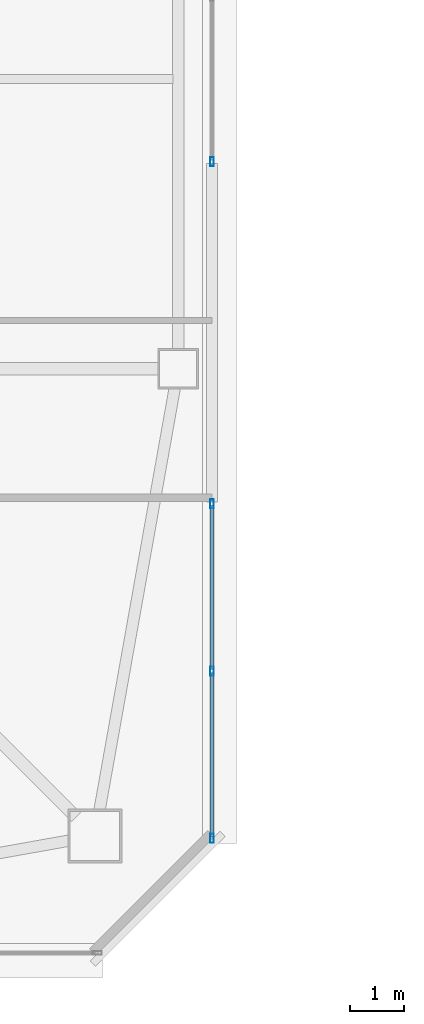
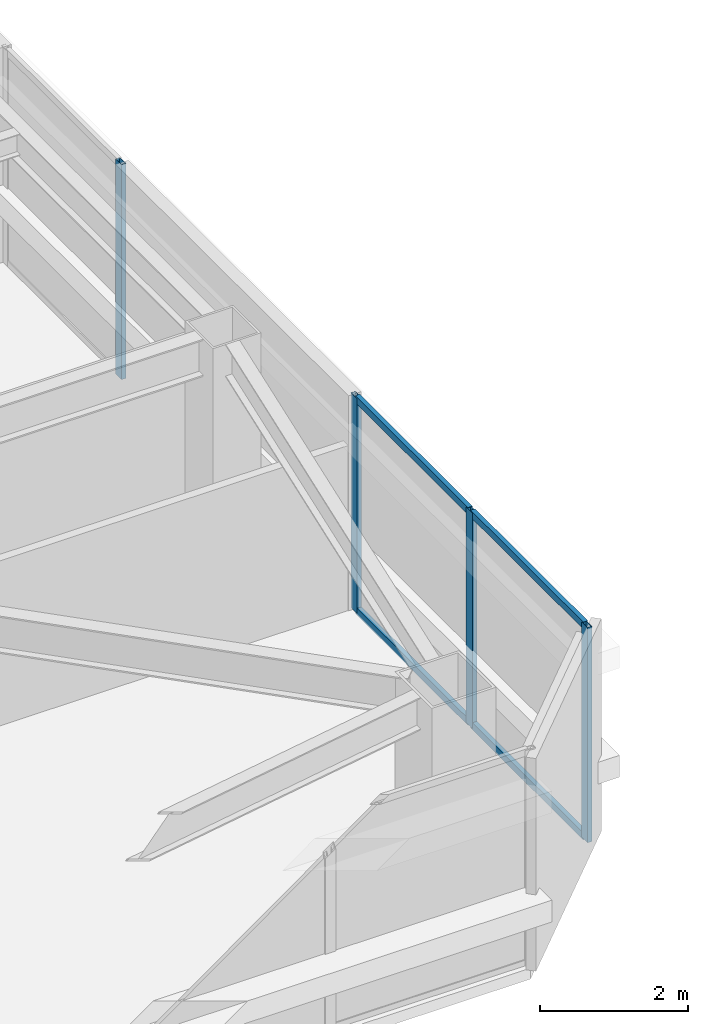
# One storey, part 12 of 44: 8 members, 2 elements without a shape of their own.
"""IFC4 building model written with IfcOpenShell, lengths in metres."""

from ifc_helpers import new_model, si_unit, direction, frame, origin, origin_2d, place, context, subcontext, project, spatial, hollow_rectangle, extrude, material, material_profile, profile_set, type_object, element, aggregate, save


model = new_model("IFC4")

# Units and contexts
model_context = context("Model", 3, precision=1e-05, world=origin(), true_north=direction((0.0, 1.0)))
body_context = subcontext(model_context, "Body", "Model", "MODEL_VIEW")
ifc_project = project(units=[si_unit("LENGTHUNIT", "METRE"), si_unit("AREAUNIT", "SQUARE_METRE"), si_unit("VOLUMEUNIT", "CUBIC_METRE"), si_unit("PLANEANGLEUNIT", "RADIAN"), si_unit("MASSUNIT", "GRAM", prefix="KILO")], contexts=[model_context])

# Site, building, storey
site_placement = place(None, origin())
site = spatial("IfcSite", under=ifc_project, at=site_placement, CompositionType="ELEMENT")
building_placement = place(site_placement, origin())
building = spatial("IfcBuilding", under=site, at=building_placement, Name="Tashvorn Skyway Center", CompositionType="ELEMENT")
storey_placement = place(building_placement, frame((0.0, 0.0, 211.300048828125)))
storey = spatial("IfcBuildingStorey", under=building, at=storey_placement, Name="L57", CompositionType="ELEMENT", Elevation=211.300048828125)

# Curtain wall, member
ifc_material = material(Name="Thermally broken bronze-anodized aluminium 6063-T6", Category="aluminium")
curtain_wall_type = type_object("IfcCurtainWallType", Name="CW-CW-Z5", PredefinedType="NOTDEFINED", material=ifc_material)
curtain_wall_1_placement = place(storey_placement, origin())
curtain_wall_1 = element("IfcCurtainWall", 1, at=curtain_wall_1_placement, inside=storey, type_object=curtain_wall_type, Name="Tower 1 L57 East Unitised Curtain Wall Glazing Group 2", PredefinedType="NOTDEFINED")
ifc_material_profile_1 = material_profile(ifc_material, hollow_rectangle(XDim=0.070068359375, YDim=0.1650390625, WallThickness=0.00390625, at=origin_2d()), Name="ALU-MULL-70x165")
ifc_profile_set_1 = profile_set([ifc_material_profile_1], Name="Thermally broken bronze-anodized aluminium 6063-T6")
member_type_1 = type_object("IfcMemberType", Name="CWM-CW-Z5", PredefinedType="MULLION", material=ifc_profile_set_1)
member_1_placement = place(storey_placement, frame((58.280029296875, 30.45947265625, 0.0), z_axis=(0.0, 0.0, 1.0), x_axis=(1.0, 0.0, 0.0)))
member_1 = element("IfcMember", 2, at=member_1_placement, type_object=member_type_1, Name="CW-Z5 mullion 2", PredefinedType="MULLION", context=body_context, shape_type="SweptSolid", body=[
    extrude(hollow_rectangle(XDim=0.070068359375, YDim=0.1650390625, WallThickness=0.00390625, at=origin_2d()), origin(), (0.0, 0.0, 1.0), 3.550048828125),
])
aggregate(curtain_wall_1, [member_1])

# Curtain wall, members
curtain_wall_2_placement = place(storey_placement, origin())
curtain_wall_2 = element("IfcCurtainWall", 3, at=curtain_wall_2_placement, inside=storey, type_object=curtain_wall_type, Name="Tower 1 L57 East Unitised Curtain Wall Glazing Group 3", PredefinedType="NOTDEFINED")
member_2_placement = place(storey_placement, frame((58.280029296875, 24.087158203125, 0.0), z_axis=(0.0, 0.0, 1.0), x_axis=(1.0, 0.0, 0.0)))
member_2 = element("IfcMember", 4, at=member_2_placement, type_object=member_type_1, Name="CW-Z5 mullion 1", PredefinedType="MULLION", context=body_context, shape_type="SweptSolid", body=[
    extrude(hollow_rectangle(XDim=0.070068359375, YDim=0.1650390625, WallThickness=0.00390625, at=origin_2d()), origin(), (0.0, 0.0, 1.0), 3.550048828125),
])
member_3_placement = place(storey_placement, frame((58.280029296875, 20.97119140625, 0.0), z_axis=(0.0, 0.0, 1.0), x_axis=(1.0, 0.0, 0.0)))
member_3 = element("IfcMember", 5, at=member_3_placement, type_object=member_type_1, Name="CW-Z5 mullion 2", PredefinedType="MULLION", context=body_context, shape_type="SweptSolid", body=[
    extrude(hollow_rectangle(XDim=0.070068359375, YDim=0.1650390625, WallThickness=0.00390625, at=origin_2d()), origin(), (0.0, 0.0, 1.0), 3.550048828125),
])
member_4_placement = place(storey_placement, frame((58.280029296875, 17.85498046875, 0.0), z_axis=(0.0, 0.0, 1.0), x_axis=(1.0, 0.0, 0.0)))
member_4 = element("IfcMember", 6, at=member_4_placement, type_object=member_type_1, Name="CW-Z5 mullion 3", PredefinedType="MULLION", context=body_context, shape_type="SweptSolid", body=[
    extrude(hollow_rectangle(XDim=0.070068359375, YDim=0.1650390625, WallThickness=0.00390625, at=origin_2d()), origin(), (0.0, 0.0, 1.0), 3.550048828125),
])
ifc_material_profile_2 = material_profile(ifc_material, hollow_rectangle(XDim=0.070068359375, YDim=0.114990234375, WallThickness=0.00390625, at=origin_2d()), Name="ALU-TRAN-70x115")
ifc_profile_set_2 = profile_set([ifc_material_profile_2], Name="Thermally broken bronze-anodized aluminium 6063-T6")
member_type_2 = type_object("IfcMemberType", Name="CWT-CW-Z5", PredefinedType="USERDEFINED", material=ifc_profile_set_2)
member_5_placement = place(storey_placement, frame((58.280029296875, 24.05224609375, 0.034912109375), z_axis=(0.0, -1.0, 0.0), x_axis=(1.0, 0.0, 0.0)))
member_5 = element("IfcMember", 7, at=member_5_placement, type_object=member_type_2, Name="CW-Z5 transom 1.1", ObjectType="TRANSOM", PredefinedType="USERDEFINED", context=body_context, shape_type="SweptSolid", body=[
    extrude(hollow_rectangle(XDim=0.070068359375, YDim=0.114990234375, WallThickness=0.00390625, at=origin_2d()), origin(), (0.0, 0.0, 1.0), 3.046142578125),
])
member_6_placement = place(storey_placement, frame((58.280029296875, 24.05224609375, 3.514892578125), z_axis=(0.0, -1.0, 0.0), x_axis=(1.0, 0.0, 0.0)))
member_6 = element("IfcMember", 8, at=member_6_placement, type_object=member_type_2, Name="CW-Z5 transom 1.2", ObjectType="TRANSOM", PredefinedType="USERDEFINED", context=body_context, shape_type="SweptSolid", body=[
    extrude(hollow_rectangle(XDim=0.070068359375, YDim=0.114990234375, WallThickness=0.00390625, at=origin_2d()), origin(), (0.0, 0.0, 1.0), 3.046142578125),
])
member_7_placement = place(storey_placement, frame((58.280029296875, 20.93603515625, 0.034912109375), z_axis=(0.0, -1.0, 0.0), x_axis=(1.0, 0.0, 0.0)))
member_7 = element("IfcMember", 9, at=member_7_placement, type_object=member_type_2, Name="CW-Z5 transom 2.1", ObjectType="TRANSOM", PredefinedType="USERDEFINED", context=body_context, shape_type="SweptSolid", body=[
    extrude(hollow_rectangle(XDim=0.070068359375, YDim=0.114990234375, WallThickness=0.00390625, at=origin_2d()), origin(), (0.0, 0.0, 1.0), 3.046142578125),
])
member_8_placement = place(storey_placement, frame((58.280029296875, 20.93603515625, 3.514892578125), z_axis=(0.0, -1.0, 0.0), x_axis=(1.0, 0.0, 0.0)))
member_8 = element("IfcMember", 10, at=member_8_placement, type_object=member_type_2, Name="CW-Z5 transom 2.2", ObjectType="TRANSOM", PredefinedType="USERDEFINED", context=body_context, shape_type="SweptSolid", body=[
    extrude(hollow_rectangle(XDim=0.070068359375, YDim=0.114990234375, WallThickness=0.00390625, at=origin_2d()), origin(), (0.0, 0.0, 1.0), 3.046142578125),
])
aggregate(curtain_wall_2, [member_2, member_3, member_4, member_5, member_6, member_7, member_8])

save(model, "model.ifc")
